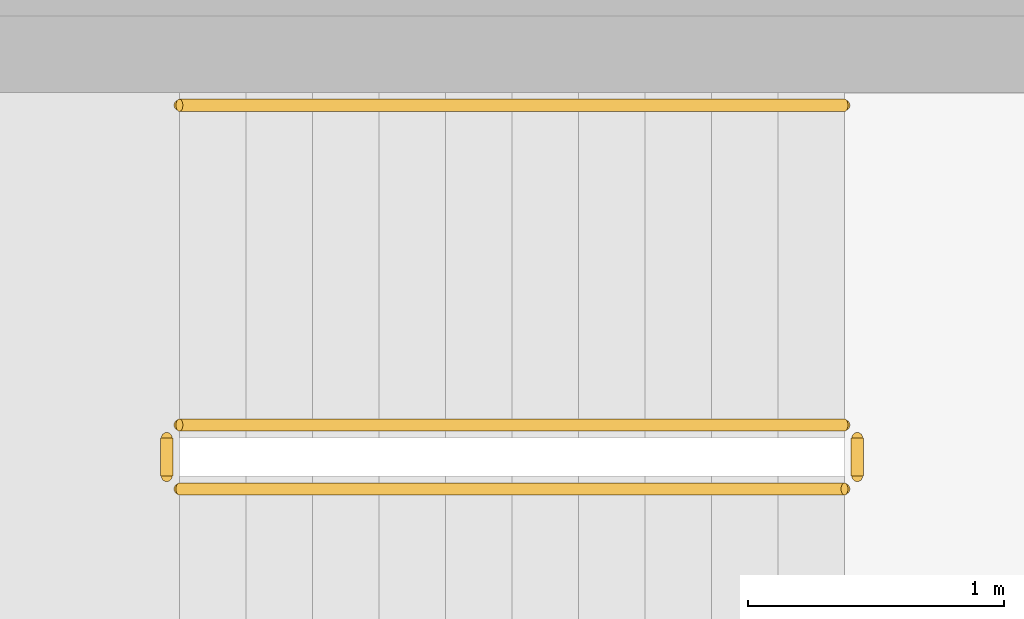
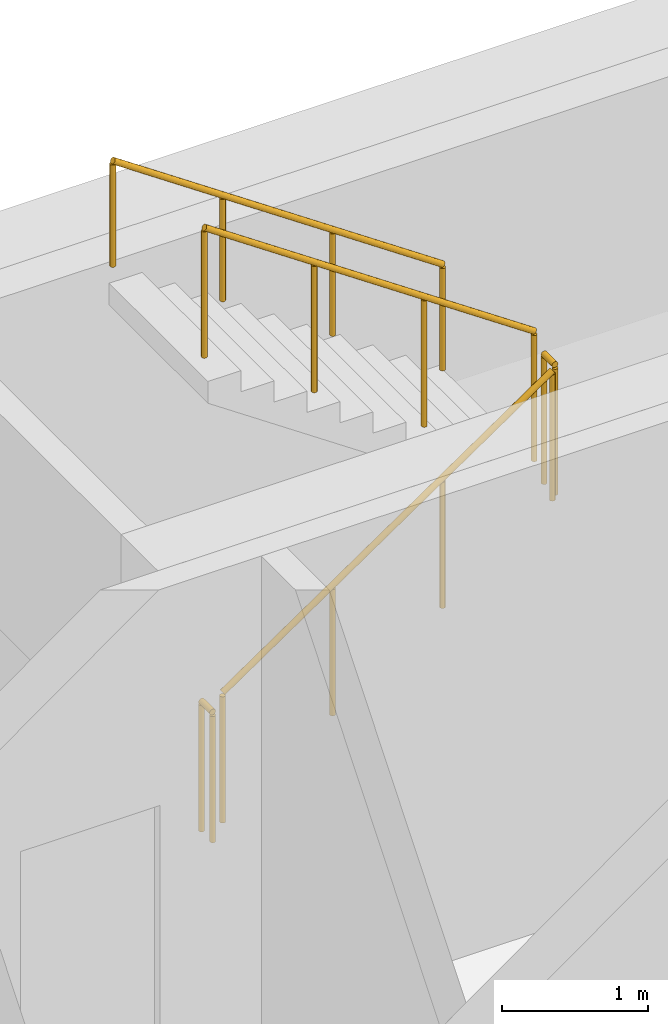
# One storey, part 8 of 8: 5 railings.
"""IFC4 building model written with IfcOpenShell, lengths in metres."""

from ifc_helpers import new_model, si_unit, direction, frame, origin, origin_2d, place, context, subcontext, project, spatial, circle, extrude, material, type_object, element, save


model = new_model("IFC4")

# Units and contexts
model_context = context("Model", 3, precision=1e-05, world=origin(), true_north=direction((0.0, 1.0)))
body_context = subcontext(model_context, "Body", "Model", "MODEL_VIEW")
ifc_project = project(units=[si_unit("LENGTHUNIT", "METRE"), si_unit("AREAUNIT", "SQUARE_METRE"), si_unit("VOLUMEUNIT", "CUBIC_METRE"), si_unit("PLANEANGLEUNIT", "RADIAN"), si_unit("MASSUNIT", "GRAM", prefix="KILO")], contexts=[model_context])

# Site, building, storey
site_placement = place(None, origin())
site = spatial("IfcSite", under=ifc_project, at=site_placement, CompositionType="ELEMENT")
building_placement = place(site_placement, origin())
building = spatial("IfcBuilding", under=site, at=building_placement, Name="White Candle Pilgrim Tower", CompositionType="ELEMENT")
storey_placement = place(building_placement, frame((0.0, 0.0, 310.0)))
storey = spatial("IfcBuildingStorey", under=building, at=storey_placement, Name="L73", CompositionType="ELEMENT", Elevation=310.0)

# Railings
ifc_material = material(Name="Stainless steel", Category="steel")
railing_type_1 = type_object("IfcRailingType", Name="Stair guard stainless steel 1100 mm", PredefinedType="GUARDRAIL", material=ifc_material)
railing_1_placement = place(storey_placement, frame((69.39990234375, 85.550048828125, 0.17724609375)))
element("IfcRailing", 1, at=railing_1_placement, inside=storey, type_object=railing_type_1, Name="L73 ST3 stair guard 1", PredefinedType="GUARDRAIL", context=body_context, shape_type="SweptSolid", body=[
    extrude(circle(Radius=0.02392578125, at=origin_2d()), frame((0.0, 0.0, 1.076171875), z_axis=(0.826240473404, 0.0, 0.563317565952), x_axis=(0.0, 1.0, 0.0)), (0.0, 0.0, 1.0), 3.14697265625),
    extrude(circle(Radius=0.02099609375, at=origin_2d()), origin(), (0.0, 0.0, 1.0), 1.052001953125),
    extrude(circle(Radius=0.02099609375, at=origin_2d()), frame((0.86669921875, 0.0, 0.5908203125)), (0.0, 0.0, 1.0), 1.052001953125),
    extrude(circle(Radius=0.02099609375, at=origin_2d()), frame((1.7333984375, 0.0, 1.181884765625)), (0.0, 0.0, 1.0), 1.052001953125),
    extrude(circle(Radius=0.02099609375, at=origin_2d()), frame((2.60009765625, 0.0, 1.772705078125)), (0.0, 0.0, 1.0), 1.052001953125),
])
railing_2_placement = place(storey_placement, frame((72.050048828125, 85.60009765625, 1.949951171875)))
element("IfcRailing", 2, at=railing_2_placement, inside=storey, type_object=railing_type_1, Name="L73 ST3 stair guard 2", PredefinedType="GUARDRAIL", context=body_context, shape_type="SweptSolid", body=[
    extrude(circle(Radius=0.02392578125, at=origin_2d()), frame((0.0, 0.0, 1.076171875), z_axis=(0.0, 1.0, 0.0), x_axis=(-1.0, 0.0, 0.0)), (0.0, 0.0, 1.0), 0.14990234375),
    extrude(circle(Radius=0.02099609375, at=origin_2d()), origin(), (0.0, 0.0, 1.0), 1.052001953125),
    extrude(circle(Radius=0.02099609375, at=origin_2d()), frame((0.0, 0.14990234375, 0.0)), (0.0, 0.0, 1.0), 1.052001953125),
])
railing_3_placement = place(storey_placement, frame((72.0, 85.800048828125, 2.127197265625)))
element("IfcRailing", 3, at=railing_3_placement, inside=storey, type_object=railing_type_1, Name="L73 ST3 stair guard 3", PredefinedType="GUARDRAIL", context=body_context, shape_type="SweptSolid", body=[
    extrude(circle(Radius=0.02392578125, at=origin_2d()), frame((0.0, 0.0, 1.076171875), z_axis=(-0.826240473404, 0.0, 0.563317565952), x_axis=(0.0, -1.0, 0.0)), (0.0, 0.0, 1.0), 3.14697265625),
    extrude(circle(Radius=0.02099609375, at=origin_2d()), origin(), (0.0, 0.0, 1.0), 1.052001953125),
    extrude(circle(Radius=0.02099609375, at=origin_2d()), frame((-0.86669921875, 0.0, 0.5908203125)), (0.0, 0.0, 1.0), 1.052001953125),
    extrude(circle(Radius=0.02099609375, at=origin_2d()), frame((-1.7333984375, 0.0, 1.181884765625)), (0.0, 0.0, 1.0), 1.052001953125),
    extrude(circle(Radius=0.02099609375, at=origin_2d()), frame((-2.60009765625, 0.0, 1.772705078125)), (0.0, 0.0, 1.0), 1.052001953125),
])
railing_4_placement = place(storey_placement, frame((69.35009765625, 85.60009765625, 0.0)))
element("IfcRailing", 4, at=railing_4_placement, inside=storey, type_object=railing_type_1, Name="L73 ST3 stair guard 4", PredefinedType="GUARDRAIL", context=body_context, shape_type="SweptSolid", body=[
    extrude(circle(Radius=0.02392578125, at=origin_2d()), frame((0.0, 0.0, 1.076171875), z_axis=(0.0, 1.0, 0.0), x_axis=(-1.0, 0.0, 0.0)), (0.0, 0.0, 1.0), 0.14990234375),
    extrude(circle(Radius=0.02099609375, at=origin_2d()), origin(), (0.0, 0.0, 1.0), 1.052001953125),
    extrude(circle(Radius=0.02099609375, at=origin_2d()), frame((0.0, 0.14990234375, 0.0)), (0.0, 0.0, 1.0), 1.052001953125),
])
railing_type_2 = type_object("IfcRailingType", Name="Stair handrail stainless steel", PredefinedType="HANDRAIL", material=ifc_material)
railing_5_placement = place(storey_placement, frame((72.0, 87.050048828125, 2.127197265625)))
element("IfcRailing", 5, at=railing_5_placement, inside=storey, type_object=railing_type_2, Name="L73 ST3 stair handrail 2", PredefinedType="HANDRAIL", context=body_context, shape_type="SweptSolid", body=[
    extrude(circle(Radius=0.02392578125, at=origin_2d()), frame((0.0, 0.0, 0.8759765625), z_axis=(-0.826240473404, 0.0, 0.563317565952), x_axis=(0.0, -1.0, 0.0)), (0.0, 0.0, 1.0), 3.14697265625),
    extrude(circle(Radius=0.02099609375, at=origin_2d()), origin(), (0.0, 0.0, 1.0), 0.851806640625),
    extrude(circle(Radius=0.02099609375, at=origin_2d()), frame((-0.86669921875, 0.0, 0.5908203125)), (0.0, 0.0, 1.0), 0.851806640625),
    extrude(circle(Radius=0.02099609375, at=origin_2d()), frame((-1.7333984375, 0.0, 1.181884765625)), (0.0, 0.0, 1.0), 0.851806640625),
    extrude(circle(Radius=0.02099609375, at=origin_2d()), frame((-2.60009765625, 0.0, 1.772705078125)), (0.0, 0.0, 1.0), 0.851806640625),
])

save(model, "model.ifc")
